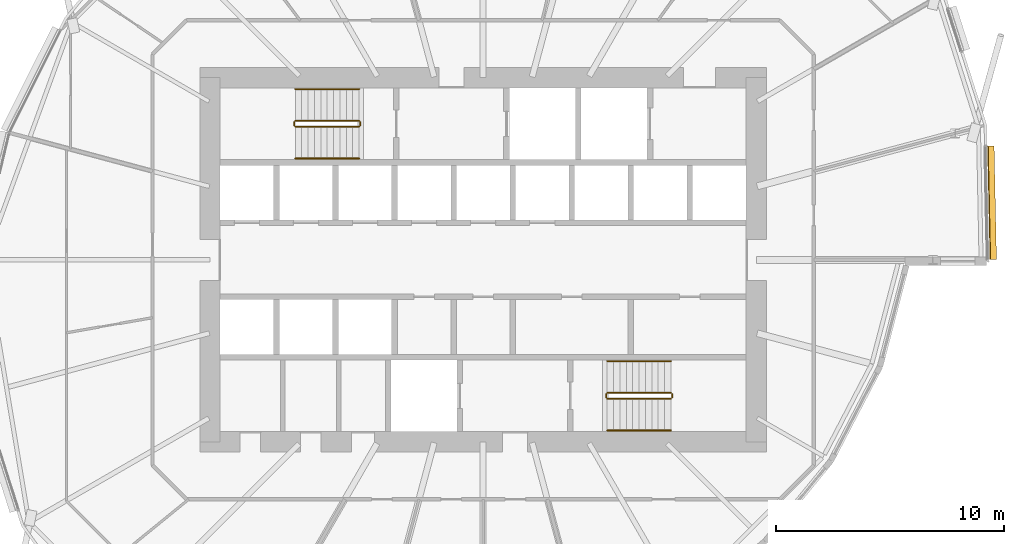
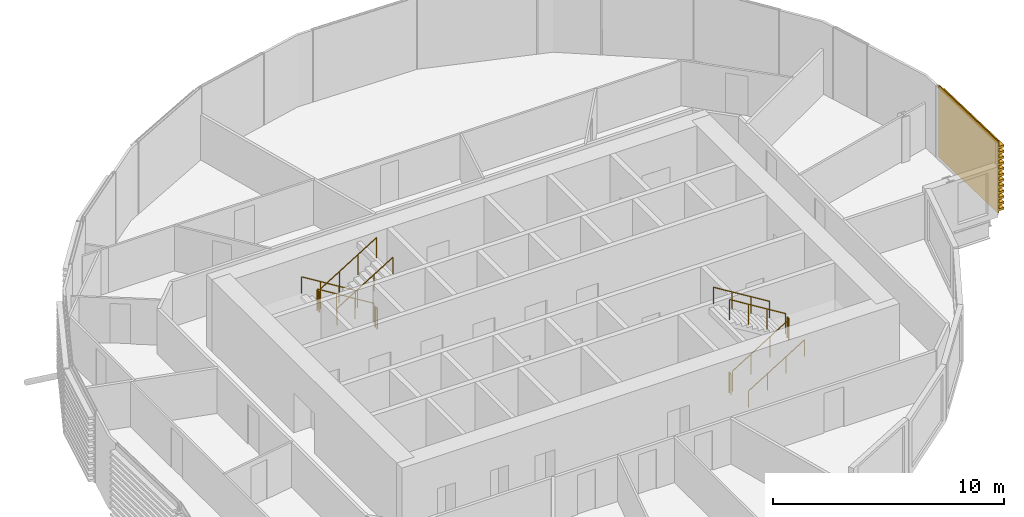
# One storey, part 37 of 38: 12 railings, 1 covering.
"""IFC4 building model written with IfcOpenShell, lengths in metres."""

from ifc_helpers import new_model, si_unit, direction, frame, origin, origin_2d, place, context, subcontext, project, spatial, polyline, circle, outline, extrude, material, material_profile, profile_set, type_object, element, save


model = new_model("IFC4")

# Units and contexts
model_context = context("Model", 3, precision=1e-05, world=origin(), true_north=direction((0.0, 1.0)))
body_context = subcontext(model_context, "Body", "Model", "MODEL_VIEW")
ifc_project = project(units=[si_unit("LENGTHUNIT", "METRE"), si_unit("AREAUNIT", "SQUARE_METRE"), si_unit("VOLUMEUNIT", "CUBIC_METRE"), si_unit("PLANEANGLEUNIT", "RADIAN"), si_unit("MASSUNIT", "GRAM", prefix="KILO")], contexts=[model_context])

# Site, building, storey
site_placement = place(None, origin())
site = spatial("IfcSite", under=ifc_project, at=site_placement, CompositionType="ELEMENT")
building_placement = place(site_placement, origin())
building = spatial("IfcBuilding", under=site, at=building_placement, Name="Rimbun Link Towers", CompositionType="ELEMENT")
storey_placement = place(building_placement, frame((0.0, 0.0, 71.800048828125)))
storey = spatial("IfcBuildingStorey", under=building, at=storey_placement, Name="L17", CompositionType="ELEMENT", Elevation=71.800048828125)

# Railings
ifc_material_1 = material(Name="Stainless steel grade 316", Category="steel")
railing_type_1 = type_object("IfcRailingType", Name="Stair guard", PredefinedType="GUARDRAIL", material=ifc_material_1)
railing_1_placement = place(storey_placement, frame((26.300048828125, 6.10009765625, 0.172607421875)))
element("IfcRailing", 1, at=railing_1_placement, inside=storey, type_object=railing_type_1, Name="L17 ST3 stair guard 1", PredefinedType="GUARDRAIL", context=body_context, shape_type="SweptSolid", body=[
    extrude(circle(Radius=0.02392578125, at=origin_2d()), frame((0.0, 0.0, 1.076171875), z_axis=(-0.851089632645, 0.0, 0.525020415988), x_axis=(0.0, -1.0, 0.0)), (0.0, 0.0, 1.0), 3.2900390625),
    extrude(circle(Radius=0.02099609375, at=origin_2d()), origin(), (0.0, 0.0, 1.0), 1.052001953125),
    extrude(circle(Radius=0.02099609375, at=origin_2d()), frame((-0.933349609375, 0.0, 0.57568359375)), (0.0, 0.0, 1.0), 1.052001953125),
    extrude(circle(Radius=0.02099609375, at=origin_2d()), frame((-1.86669921875, 0.0, 1.151611328125)), (0.0, 0.0, 1.0), 1.052001953125),
    extrude(circle(Radius=0.02099609375, at=origin_2d()), frame((-2.800048828125, 0.0, 1.727294921875)), (0.0, 0.0, 1.0), 1.052001953125),
])
railing_2_placement = place(storey_placement, frame((23.449951171875, 6.050048828125, 1.89990234375)))
element("IfcRailing", 2, at=railing_2_placement, inside=storey, type_object=railing_type_1, Name="L17 ST3 stair guard 2", PredefinedType="GUARDRAIL", context=body_context, shape_type="SweptSolid", body=[
    extrude(circle(Radius=0.02392578125, at=origin_2d()), frame((0.0, 0.0, 1.076171875), z_axis=(0.0, -1.0, 0.0), x_axis=(1.0, 0.0, 0.0)), (0.0, 0.0, 1.0), 0.150146484375),
    extrude(circle(Radius=0.02099609375, at=origin_2d()), origin(), (0.0, 0.0, 1.0), 1.052001953125),
    extrude(circle(Radius=0.02099609375, at=origin_2d()), frame((0.0, -0.150146484375, 0.0)), (0.0, 0.0, 1.0), 1.052001953125),
])
railing_3_placement = place(storey_placement, frame((23.5, 5.85009765625, 2.07275390625)))
element("IfcRailing", 3, at=railing_3_placement, inside=storey, type_object=railing_type_1, Name="L17 ST3 stair guard 3", PredefinedType="GUARDRAIL", context=body_context, shape_type="SweptSolid", body=[
    extrude(circle(Radius=0.02392578125, at=origin_2d()), frame((0.0, 0.0, 1.076171875), z_axis=(0.851089632645, 0.0, 0.525020415988), x_axis=(0.0, 1.0, 0.0)), (0.0, 0.0, 1.0), 3.2900390625),
    extrude(circle(Radius=0.02099609375, at=origin_2d()), origin(), (0.0, 0.0, 1.0), 1.052001953125),
    extrude(circle(Radius=0.02099609375, at=origin_2d()), frame((0.933349609375, 0.0, 0.57568359375)), (0.0, 0.0, 1.0), 1.052001953125),
    extrude(circle(Radius=0.02099609375, at=origin_2d()), frame((1.86669921875, 0.0, 1.151611328125)), (0.0, 0.0, 1.0), 1.052001953125),
    extrude(circle(Radius=0.02099609375, at=origin_2d()), frame((2.800048828125, 0.0, 1.727294921875)), (0.0, 0.0, 1.0), 1.052001953125),
])
railing_4_placement = place(storey_placement, frame((26.35009765625, 6.050048828125, 0.0)))
element("IfcRailing", 4, at=railing_4_placement, inside=storey, type_object=railing_type_1, Name="L17 ST3 stair guard 4", PredefinedType="GUARDRAIL", context=body_context, shape_type="SweptSolid", body=[
    extrude(circle(Radius=0.02392578125, at=origin_2d()), frame((0.0, 0.0, 1.076171875), z_axis=(0.0, -1.0, 0.0), x_axis=(1.0, 0.0, 0.0)), (0.0, 0.0, 1.0), 0.150146484375),
    extrude(circle(Radius=0.02099609375, at=origin_2d()), origin(), (0.0, 0.0, 1.0), 1.052001953125),
    extrude(circle(Radius=0.02099609375, at=origin_2d()), frame((0.0, -0.150146484375, 0.0)), (0.0, 0.0, 1.0), 1.052001953125),
])
railing_5_placement = place(storey_placement, frame((37.199951171875, -6.10009765625, 0.172607421875)))
element("IfcRailing", 5, at=railing_5_placement, inside=storey, type_object=railing_type_1, Name="L17 ST4 stair guard 1", PredefinedType="GUARDRAIL", context=body_context, shape_type="SweptSolid", body=[
    extrude(circle(Radius=0.02392578125, at=origin_2d()), frame((0.0, 0.0, 1.076171875), z_axis=(0.851089632645, 0.0, 0.525020415988), x_axis=(0.0, 1.0, 0.0)), (0.0, 0.0, 1.0), 3.2900390625),
    extrude(circle(Radius=0.02099609375, at=origin_2d()), origin(), (0.0, 0.0, 1.0), 1.052001953125),
    extrude(circle(Radius=0.02099609375, at=origin_2d()), frame((0.933349609375, 0.0, 0.57568359375)), (0.0, 0.0, 1.0), 1.052001953125),
    extrude(circle(Radius=0.02099609375, at=origin_2d()), frame((1.86669921875, 0.0, 1.151611328125)), (0.0, 0.0, 1.0), 1.052001953125),
    extrude(circle(Radius=0.02099609375, at=origin_2d()), frame((2.800048828125, 0.0, 1.727294921875)), (0.0, 0.0, 1.0), 1.052001953125),
])
railing_6_placement = place(storey_placement, frame((40.050048828125, -6.050048828125, 1.89990234375)))
element("IfcRailing", 6, at=railing_6_placement, inside=storey, type_object=railing_type_1, Name="L17 ST4 stair guard 2", PredefinedType="GUARDRAIL", context=body_context, shape_type="SweptSolid", body=[
    extrude(circle(Radius=0.02392578125, at=origin_2d()), frame((0.0, 0.0, 1.076171875), z_axis=(0.0, 1.0, 0.0), x_axis=(-1.0, 0.0, 0.0)), (0.0, 0.0, 1.0), 0.150146484375),
    extrude(circle(Radius=0.02099609375, at=origin_2d()), origin(), (0.0, 0.0, 1.0), 1.052001953125),
    extrude(circle(Radius=0.02099609375, at=origin_2d()), frame((0.0, 0.150146484375, 0.0)), (0.0, 0.0, 1.0), 1.052001953125),
])
railing_7_placement = place(storey_placement, frame((40.0, -5.85009765625, 2.07275390625)))
element("IfcRailing", 7, at=railing_7_placement, inside=storey, type_object=railing_type_1, Name="L17 ST4 stair guard 3", PredefinedType="GUARDRAIL", context=body_context, shape_type="SweptSolid", body=[
    extrude(circle(Radius=0.02392578125, at=origin_2d()), frame((0.0, 0.0, 1.076171875), z_axis=(-0.851089632645, 0.0, 0.525020415988), x_axis=(0.0, -1.0, 0.0)), (0.0, 0.0, 1.0), 3.2900390625),
    extrude(circle(Radius=0.02099609375, at=origin_2d()), origin(), (0.0, 0.0, 1.0), 1.052001953125),
    extrude(circle(Radius=0.02099609375, at=origin_2d()), frame((-0.933349609375, 0.0, 0.57568359375)), (0.0, 0.0, 1.0), 1.052001953125),
    extrude(circle(Radius=0.02099609375, at=origin_2d()), frame((-1.86669921875, 0.0, 1.151611328125)), (0.0, 0.0, 1.0), 1.052001953125),
    extrude(circle(Radius=0.02099609375, at=origin_2d()), frame((-2.800048828125, 0.0, 1.727294921875)), (0.0, 0.0, 1.0), 1.052001953125),
])
railing_8_placement = place(storey_placement, frame((37.14990234375, -6.050048828125, 0.0)))
element("IfcRailing", 8, at=railing_8_placement, inside=storey, type_object=railing_type_1, Name="L17 ST4 stair guard 4", PredefinedType="GUARDRAIL", context=body_context, shape_type="SweptSolid", body=[
    extrude(circle(Radius=0.02392578125, at=origin_2d()), frame((0.0, 0.0, 1.076171875), z_axis=(0.0, 1.0, 0.0), x_axis=(-1.0, 0.0, 0.0)), (0.0, 0.0, 1.0), 0.150146484375),
    extrude(circle(Radius=0.02099609375, at=origin_2d()), origin(), (0.0, 0.0, 1.0), 1.052001953125),
    extrude(circle(Radius=0.02099609375, at=origin_2d()), frame((0.0, 0.150146484375, 0.0)), (0.0, 0.0, 1.0), 1.052001953125),
])
ifc_material_2 = material(Name="Stainless steel grade 316", Category="steel")
railing_type_2 = type_object("IfcRailingType", Name="Stair handrail", PredefinedType="HANDRAIL", material=ifc_material_2)
railing_9_placement = place(storey_placement, frame((26.300048828125, 7.5, 0.172607421875)))
element("IfcRailing", 9, at=railing_9_placement, inside=storey, type_object=railing_type_2, Name="L17 ST3 stair handrail 1", PredefinedType="HANDRAIL", context=body_context, shape_type="SweptSolid", body=[
    extrude(circle(Radius=0.02392578125, at=origin_2d()), frame((0.0, 0.0, 0.8759765625), z_axis=(-0.851089632645, 0.0, 0.525020415988), x_axis=(0.0, -1.0, 0.0)), (0.0, 0.0, 1.0), 3.2900390625),
    extrude(circle(Radius=0.02099609375, at=origin_2d()), origin(), (0.0, 0.0, 1.0), 0.851806640625),
    extrude(circle(Radius=0.02099609375, at=origin_2d()), frame((-0.933349609375, 0.0, 0.57568359375)), (0.0, 0.0, 1.0), 0.851806640625),
    extrude(circle(Radius=0.02099609375, at=origin_2d()), frame((-1.86669921875, 0.0, 1.151611328125)), (0.0, 0.0, 1.0), 0.851806640625),
    extrude(circle(Radius=0.02099609375, at=origin_2d()), frame((-2.800048828125, 0.0, 1.727294921875)), (0.0, 0.0, 1.0), 0.851806640625),
])
for number, where, name in (
    (10, (23.5, 4.449951171875, 2.07275390625), "L17 ST3 stair handrail 2"),
    (11, (37.199951171875, -7.5, 0.172607421875), "L17 ST4 stair handrail 1"),
):
    element("IfcRailing", number, at=place(storey_placement, frame(where)), inside=storey, type_object=railing_type_2, Name=name, PredefinedType="HANDRAIL", context=body_context, shape_type="SweptSolid", body=[
        extrude(circle(Radius=0.02392578125, at=origin_2d()), frame((0.0, 0.0, 0.8759765625), z_axis=(0.851089632645, 0.0, 0.525020415988), x_axis=(0.0, 1.0, 0.0)), (0.0, 0.0, 1.0), 3.2900390625),
        extrude(circle(Radius=0.02099609375, at=origin_2d()), origin(), (0.0, 0.0, 1.0), 0.851806640625),
        extrude(circle(Radius=0.02099609375, at=origin_2d()), frame((0.933349609375, 0.0, 0.57568359375)), (0.0, 0.0, 1.0), 0.851806640625),
        extrude(circle(Radius=0.02099609375, at=origin_2d()), frame((1.86669921875, 0.0, 1.151611328125)), (0.0, 0.0, 1.0), 0.851806640625),
        extrude(circle(Radius=0.02099609375, at=origin_2d()), frame((2.800048828125, 0.0, 1.727294921875)), (0.0, 0.0, 1.0), 0.851806640625),
    ])
railing_10_placement = place(storey_placement, frame((40.0, -4.449951171875, 2.07275390625)))
element("IfcRailing", 12, at=railing_10_placement, inside=storey, type_object=railing_type_2, Name="L17 ST4 stair handrail 2", PredefinedType="HANDRAIL", context=body_context, shape_type="SweptSolid", body=[
    extrude(circle(Radius=0.02392578125, at=origin_2d()), frame((0.0, 0.0, 0.8759765625), z_axis=(-0.851089632645, 0.0, 0.525020415988), x_axis=(0.0, -1.0, 0.0)), (0.0, 0.0, 1.0), 3.2900390625),
    extrude(circle(Radius=0.02099609375, at=origin_2d()), origin(), (0.0, 0.0, 1.0), 0.851806640625),
    extrude(circle(Radius=0.02099609375, at=origin_2d()), frame((-0.933349609375, 0.0, 0.57568359375)), (0.0, 0.0, 1.0), 0.851806640625),
    extrude(circle(Radius=0.02099609375, at=origin_2d()), frame((-1.86669921875, 0.0, 1.151611328125)), (0.0, 0.0, 1.0), 0.851806640625),
    extrude(circle(Radius=0.02099609375, at=origin_2d()), frame((-2.800048828125, 0.0, 1.727294921875)), (0.0, 0.0, 1.0), 0.851806640625),
])

# Covering
ifc_material_3 = material(Name="Terracotta", Category="masonry")
ifc_material_profile = material_profile(ifc_material_3, outline(polyline([(0.123046875, 0.0), (0.1630859375, 0.0), (0.1630859375, 0.10009765625), (0.423095703125, 0.10009765625), (0.423095703125, 0.219970703125), (0.1630859375, 0.219970703125), (0.1630859375, 0.39990234375), (0.423095703125, 0.39990234375), (0.423095703125, 0.52001953125), (0.1630859375, 0.52001953125), (0.1630859375, 0.699951171875), (0.423095703125, 0.699951171875), (0.423095703125, 0.820068359375), (0.1630859375, 0.820068359375), (0.1630859375, 1.0), (0.423095703125, 1.0), (0.423095703125, 1.1201171875), (0.1630859375, 1.1201171875), (0.1630859375, 1.300048828125), (0.423095703125, 1.300048828125), (0.423095703125, 1.419921875), (0.1630859375, 1.419921875), (0.1630859375, 1.60009765625), (0.423095703125, 1.60009765625), (0.423095703125, 1.719970703125), (0.1630859375, 1.719970703125), (0.1630859375, 1.89990234375), (0.423095703125, 1.89990234375), (0.423095703125, 2.02001953125), (0.1630859375, 2.02001953125), (0.1630859375, 2.199951171875), (0.423095703125, 2.199951171875), (0.423095703125, 2.320068359375), (0.1630859375, 2.320068359375), (0.1630859375, 2.5), (0.423095703125, 2.5), (0.423095703125, 2.6201171875), (0.1630859375, 2.6201171875), (0.1630859375, 2.800048828125), (0.423095703125, 2.800048828125), (0.423095703125, 2.919921875), (0.1630859375, 2.919921875), (0.1630859375, 3.10009765625), (0.423095703125, 3.10009765625), (0.423095703125, 3.219970703125), (0.1630859375, 3.219970703125), (0.1630859375, 3.39990234375), (0.423095703125, 3.39990234375), (0.423095703125, 3.52001953125), (0.1630859375, 3.52001953125), (0.1630859375, 3.800048828125), (0.123046875, 3.800048828125), (0.123046875, 0.0)])), Name="BAGUETTE 120X300")
ifc_profile_set = profile_set([ifc_material_profile], Name="Terracotta")
covering_type = type_object("IfcCoveringType", Name="TERRACOTTA BAGUETTE 120X300 H3800", PredefinedType="CLADDING", material=ifc_profile_set)
covering_placement = place(storey_placement, frame((53.773681640625, 4.996337890625, 0.0), z_axis=(0.021055677953, -0.999778304639, 0.0), x_axis=(0.999778304639, 0.021055677953, 0.0)))
element("IfcCovering", 13, at=covering_placement, inside=storey, type_object=covering_type, Name="TERRACOTTA BAGUETTE", PredefinedType="CLADDING", context=body_context, shape_type="SweptSolid", body=[
    extrude(outline(polyline([(0.123046875, 0.0), (0.1630859375, 0.0), (0.1630859375, 0.10009765625), (0.423095703125, 0.10009765625), (0.423095703125, 0.219970703125), (0.1630859375, 0.219970703125), (0.1630859375, 0.39990234375), (0.423095703125, 0.39990234375), (0.423095703125, 0.52001953125), (0.1630859375, 0.52001953125), (0.1630859375, 0.699951171875), (0.423095703125, 0.699951171875), (0.423095703125, 0.820068359375), (0.1630859375, 0.820068359375), (0.1630859375, 1.0), (0.423095703125, 1.0), (0.423095703125, 1.1201171875), (0.1630859375, 1.1201171875), (0.1630859375, 1.300048828125), (0.423095703125, 1.300048828125), (0.423095703125, 1.419921875), (0.1630859375, 1.419921875), (0.1630859375, 1.60009765625), (0.423095703125, 1.60009765625), (0.423095703125, 1.719970703125), (0.1630859375, 1.719970703125), (0.1630859375, 1.89990234375), (0.423095703125, 1.89990234375), (0.423095703125, 2.02001953125), (0.1630859375, 2.02001953125), (0.1630859375, 2.199951171875), (0.423095703125, 2.199951171875), (0.423095703125, 2.320068359375), (0.1630859375, 2.320068359375), (0.1630859375, 2.5), (0.423095703125, 2.5), (0.423095703125, 2.6201171875), (0.1630859375, 2.6201171875), (0.1630859375, 2.800048828125), (0.423095703125, 2.800048828125), (0.423095703125, 2.919921875), (0.1630859375, 2.919921875), (0.1630859375, 3.10009765625), (0.423095703125, 3.10009765625), (0.423095703125, 3.219970703125), (0.1630859375, 3.219970703125), (0.1630859375, 3.39990234375), (0.423095703125, 3.39990234375), (0.423095703125, 3.52001953125), (0.1630859375, 3.52001953125), (0.1630859375, 3.800048828125), (0.123046875, 3.800048828125), (0.123046875, 0.0)])), origin(), (0.0, 0.0, 1.0), 4.99755859375),
])

save(model, "model.ifc")
